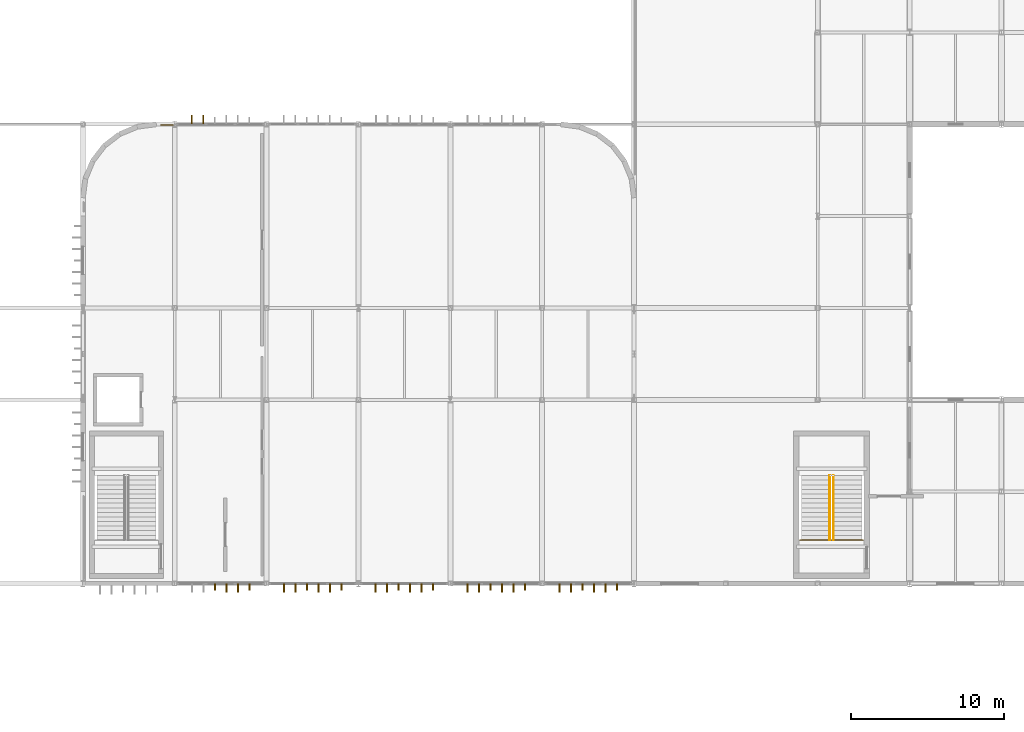
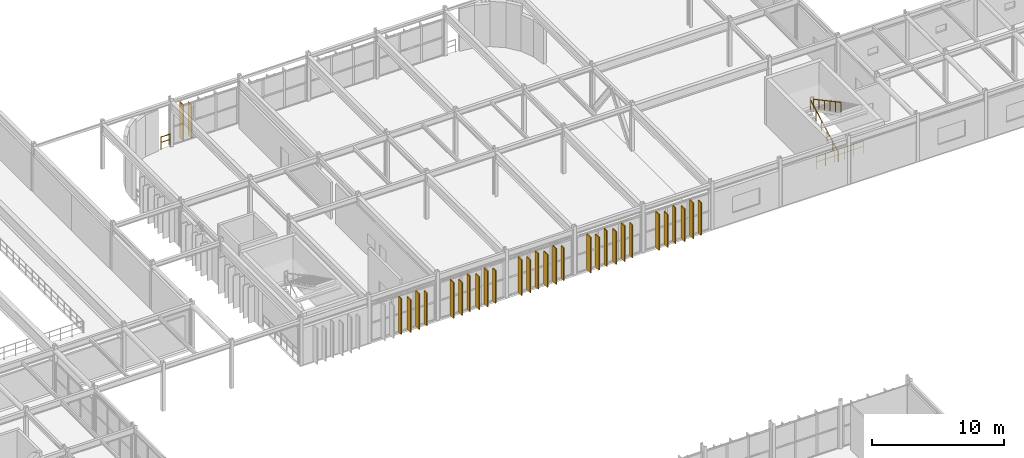
# One storey, part 90 of 96: 30 coverings, 4 railings.
"""IFC4 building model written with IfcOpenShell, lengths in metres."""

from ifc_helpers import new_model, si_unit, direction, frame, origin, origin_2d, place, context, subcontext, project, spatial, rectangle, circle, extrude, material, layer, layer_set, type_object, element, save


model = new_model("IFC4")

# Units and contexts
model_context = context("Model", 3, precision=1e-05, world=origin(), true_north=direction((0.0, 1.0)))
body_context = subcontext(model_context, "Body", "Model", "MODEL_VIEW")
ifc_project = project(units=[si_unit("LENGTHUNIT", "METRE"), si_unit("AREAUNIT", "SQUARE_METRE"), si_unit("VOLUMEUNIT", "CUBIC_METRE"), si_unit("PLANEANGLEUNIT", "RADIAN"), si_unit("MASSUNIT", "GRAM", prefix="KILO")], contexts=[model_context])

# Site, building, storey
site_placement = place(None, origin())
site = spatial("IfcSite", under=ifc_project, at=site_placement, CompositionType="ELEMENT")
building_placement = place(site_placement, origin())
building = spatial("IfcBuilding", under=site, at=building_placement, Name="Varnakota Square Police Headquarters", CompositionType="ELEMENT")
storey_placement = place(building_placement, frame((0.0, 0.0, 4.800048828125)))
storey = spatial("IfcBuildingStorey", under=building, at=storey_placement, Name="L01", CompositionType="ELEMENT", Elevation=4.800048828125)

# Coverings
ifc_material_1 = material(Name="White Anodised Aluminium Vertical Facade Blade 420", Category="aluminium")
ifc_layer_1 = layer(ifc_material_1, 0.0849609375, Name="White Anodised Aluminium Vertical Facade Blade 420")
ifc_layer_set_1 = layer_set([ifc_layer_1], Name="White Anodised Aluminium Vertical Facade Blade 420")
covering_type_1 = type_object("IfcCoveringType", Name="COV-FIN-420", PredefinedType="CLADDING", material=ifc_layer_set_1)
covering_1_placement = place(storey_placement, frame((68.625, 68.762451171875, 0.0400390625), z_axis=(0.0, 0.0, 1.0), x_axis=(1.0, 0.0, 0.0)))
element("IfcCovering", 1, at=covering_1_placement, inside=storey, type_object=covering_type_1, Name="Vertical aluminium facade fin FIN-1130", PredefinedType="CLADDING", context=body_context, shape_type="SweptSolid", body=[
    extrude(rectangle(XDim=0.0849609375, YDim=0.419921875, at=origin_2d()), origin(), (0.0, 0.0, 1.0), 3.31005859375),
])
covering_2_placement = place(storey_placement, frame((70.875, 68.762451171875, 0.0400390625), z_axis=(0.0, 0.0, 1.0), x_axis=(1.0, 0.0, 0.0)))
element("IfcCovering", 2, at=covering_2_placement, inside=storey, type_object=covering_type_1, Name="Vertical aluminium facade fin FIN-1133", PredefinedType="CLADDING", context=body_context, shape_type="SweptSolid", body=[
    extrude(rectangle(XDim=0.0849609375, YDim=0.419921875, at=origin_2d()), origin(), (0.0, 0.0, 1.0), 3.030029296875),
])
covering_3_placement = place(storey_placement, frame((74.637451171875, 68.762451171875, 0.0400390625), z_axis=(0.0, 0.0, 1.0), x_axis=(1.0, 0.0, 0.0)))
element("IfcCovering", 3, at=covering_3_placement, inside=storey, type_object=covering_type_1, Name="Vertical aluminium facade fin FIN-1136", PredefinedType="CLADDING", context=body_context, shape_type="SweptSolid", body=[
    extrude(rectangle(XDim=0.0849609375, YDim=0.419921875, at=origin_2d()), origin(), (0.0, 0.0, 1.0), 3.31005859375),
])
covering_4_placement = place(storey_placement, frame((76.887451171875, 68.762451171875, 0.0400390625), z_axis=(0.0, 0.0, 1.0), x_axis=(1.0, 0.0, 0.0)))
element("IfcCovering", 4, at=covering_4_placement, inside=storey, type_object=covering_type_1, Name="Vertical aluminium facade fin FIN-1139", PredefinedType="CLADDING", context=body_context, shape_type="SweptSolid", body=[
    extrude(rectangle(XDim=0.0849609375, YDim=0.419921875, at=origin_2d()), origin(), (0.0, 0.0, 1.0), 3.030029296875),
])
covering_5_placement = place(storey_placement, frame((80.612548828125, 68.762451171875, 0.0400390625), z_axis=(0.0, 0.0, 1.0), x_axis=(1.0, 0.0, 0.0)))
element("IfcCovering", 5, at=covering_5_placement, inside=storey, type_object=covering_type_1, Name="Vertical aluminium facade fin FIN-1142", PredefinedType="CLADDING", context=body_context, shape_type="SweptSolid", body=[
    extrude(rectangle(XDim=0.0849609375, YDim=0.419921875, at=origin_2d()), origin(), (0.0, 0.0, 1.0), 3.31005859375),
])
covering_6_placement = place(storey_placement, frame((82.862548828125, 68.762451171875, 0.0400390625), z_axis=(0.0, 0.0, 1.0), x_axis=(1.0, 0.0, 0.0)))
element("IfcCovering", 6, at=covering_6_placement, inside=storey, type_object=covering_type_1, Name="Vertical aluminium facade fin FIN-1145", PredefinedType="CLADDING", context=body_context, shape_type="SweptSolid", body=[
    extrude(rectangle(XDim=0.0849609375, YDim=0.419921875, at=origin_2d()), origin(), (0.0, 0.0, 1.0), 3.030029296875),
])
covering_7_placement = place(storey_placement, frame((86.625, 68.762451171875, 0.0400390625), z_axis=(0.0, 0.0, 1.0), x_axis=(1.0, 0.0, 0.0)))
element("IfcCovering", 7, at=covering_7_placement, inside=storey, type_object=covering_type_1, Name="Vertical aluminium facade fin FIN-1148", PredefinedType="CLADDING", context=body_context, shape_type="SweptSolid", body=[
    extrude(rectangle(XDim=0.0849609375, YDim=0.419921875, at=origin_2d()), origin(), (0.0, 0.0, 1.0), 3.31005859375),
])
covering_8_placement = place(storey_placement, frame((88.875, 68.762451171875, 0.0400390625), z_axis=(0.0, 0.0, 1.0), x_axis=(1.0, 0.0, 0.0)))
element("IfcCovering", 8, at=covering_8_placement, inside=storey, type_object=covering_type_1, Name="Vertical aluminium facade fin FIN-1151", PredefinedType="CLADDING", context=body_context, shape_type="SweptSolid", body=[
    extrude(rectangle(XDim=0.0849609375, YDim=0.419921875, at=origin_2d()), origin(), (0.0, 0.0, 1.0), 3.030029296875),
])
covering_9_placement = place(storey_placement, frame((92.637451171875, 68.762451171875, 0.0400390625), z_axis=(0.0, 0.0, 1.0), x_axis=(1.0, 0.0, 0.0)))
element("IfcCovering", 9, at=covering_9_placement, inside=storey, type_object=covering_type_1, Name="Vertical aluminium facade fin FIN-1154", PredefinedType="CLADDING", context=body_context, shape_type="SweptSolid", body=[
    extrude(rectangle(XDim=0.0849609375, YDim=0.419921875, at=origin_2d()), origin(), (0.0, 0.0, 1.0), 3.31005859375),
])
covering_10_placement = place(storey_placement, frame((94.887451171875, 68.762451171875, 0.0400390625), z_axis=(0.0, 0.0, 1.0), x_axis=(1.0, 0.0, 0.0)))
element("IfcCovering", 10, at=covering_10_placement, inside=storey, type_object=covering_type_1, Name="Vertical aluminium facade fin FIN-1157", PredefinedType="CLADDING", context=body_context, shape_type="SweptSolid", body=[
    extrude(rectangle(XDim=0.0849609375, YDim=0.419921875, at=origin_2d()), origin(), (0.0, 0.0, 1.0), 3.030029296875),
])
ifc_material_2 = material(Name="White Anodised Aluminium Vertical Facade Blade 550", Category="aluminium")
ifc_layer_2 = layer(ifc_material_2, 0.0849609375, Name="White Anodised Aluminium Vertical Facade Blade 550")
ifc_layer_set_2 = layer_set([ifc_layer_2], Name="White Anodised Aluminium Vertical Facade Blade 550")
covering_type_2 = type_object("IfcCoveringType", Name="COV-FIN-550", PredefinedType="CLADDING", material=ifc_layer_set_2)
covering_11_placement = place(storey_placement, frame((69.375, 68.697509765625, 0.0400390625), z_axis=(0.0, 0.0, 1.0), x_axis=(1.0, 0.0, 0.0)))
element("IfcCovering", 11, at=covering_11_placement, inside=storey, type_object=covering_type_2, Name="Vertical aluminium facade fin FIN-1131", PredefinedType="CLADDING", context=body_context, shape_type="SweptSolid", body=[
    extrude(rectangle(XDim=0.0849609375, YDim=0.550048828125, at=origin_2d()), origin(), (0.0, 0.0, 1.0), 3.030029296875),
])
for number, where, z_axis, x_axis, name in (
    (12, (70.125, 68.697509765625, 0.0400390625), (0.0, 0.0, 1.0), (1.0, 0.0, 0.0), "Vertical aluminium facade fin FIN-1132"),
    (13, (73.137451171875, 68.697509765625, 0.0400390625), (0.0, 0.0, 1.0), (1.0, 0.0, 0.0), "Vertical aluminium facade fin FIN-1134"),
):
    element("IfcCovering", number, at=place(storey_placement, frame(where, z_axis=z_axis, x_axis=x_axis)), inside=storey, type_object=covering_type_2, Name=name, PredefinedType="CLADDING", context=body_context, shape_type="SweptSolid", body=[
        extrude(rectangle(XDim=0.0849609375, YDim=0.550048828125, at=origin_2d()), origin(), (0.0, 0.0, 1.0), 3.31005859375),
    ])
for number, where, z_axis, x_axis, name in (
    (14, (73.887451171875, 68.697509765625, 0.0400390625), (0.0, 0.0, 1.0), (1.0, 0.0, 0.0), "Vertical aluminium facade fin FIN-1135"),
    (15, (75.387451171875, 68.697509765625, 0.0400390625), (0.0, 0.0, 1.0), (1.0, 0.0, 0.0), "Vertical aluminium facade fin FIN-1137"),
):
    element("IfcCovering", number, at=place(storey_placement, frame(where, z_axis=z_axis, x_axis=x_axis)), inside=storey, type_object=covering_type_2, Name=name, PredefinedType="CLADDING", context=body_context, shape_type="SweptSolid", body=[
        extrude(rectangle(XDim=0.0849609375, YDim=0.550048828125, at=origin_2d()), origin(), (0.0, 0.0, 1.0), 3.030029296875),
    ])
for number, where, z_axis, x_axis, name in (
    (16, (76.137451171875, 68.697509765625, 0.0400390625), (0.0, 0.0, 1.0), (1.0, 0.0, 0.0), "Vertical aluminium facade fin FIN-1138"),
    (17, (79.112548828125, 68.697509765625, 0.0400390625), (0.0, 0.0, 1.0), (1.0, 0.0, 0.0), "Vertical aluminium facade fin FIN-1140"),
):
    element("IfcCovering", number, at=place(storey_placement, frame(where, z_axis=z_axis, x_axis=x_axis)), inside=storey, type_object=covering_type_2, Name=name, PredefinedType="CLADDING", context=body_context, shape_type="SweptSolid", body=[
        extrude(rectangle(XDim=0.0849609375, YDim=0.550048828125, at=origin_2d()), origin(), (0.0, 0.0, 1.0), 3.31005859375),
    ])
for number, where, z_axis, x_axis, name in (
    (18, (79.862548828125, 68.697509765625, 0.0400390625), (0.0, 0.0, 1.0), (1.0, 0.0, 0.0), "Vertical aluminium facade fin FIN-1141"),
    (19, (81.362548828125, 68.697509765625, 0.0400390625), (0.0, 0.0, 1.0), (1.0, 0.0, 0.0), "Vertical aluminium facade fin FIN-1143"),
):
    element("IfcCovering", number, at=place(storey_placement, frame(where, z_axis=z_axis, x_axis=x_axis)), inside=storey, type_object=covering_type_2, Name=name, PredefinedType="CLADDING", context=body_context, shape_type="SweptSolid", body=[
        extrude(rectangle(XDim=0.0849609375, YDim=0.550048828125, at=origin_2d()), origin(), (0.0, 0.0, 1.0), 3.030029296875),
    ])
for number, where, z_axis, x_axis, name in (
    (20, (82.112548828125, 68.697509765625, 0.0400390625), (0.0, 0.0, 1.0), (1.0, 0.0, 0.0), "Vertical aluminium facade fin FIN-1144"),
    (21, (85.125, 68.697509765625, 0.0400390625), (0.0, 0.0, 1.0), (1.0, 0.0, 0.0), "Vertical aluminium facade fin FIN-1146"),
):
    element("IfcCovering", number, at=place(storey_placement, frame(where, z_axis=z_axis, x_axis=x_axis)), inside=storey, type_object=covering_type_2, Name=name, PredefinedType="CLADDING", context=body_context, shape_type="SweptSolid", body=[
        extrude(rectangle(XDim=0.0849609375, YDim=0.550048828125, at=origin_2d()), origin(), (0.0, 0.0, 1.0), 3.31005859375),
    ])
for number, where, z_axis, x_axis, name in (
    (22, (85.875, 68.697509765625, 0.0400390625), (0.0, 0.0, 1.0), (1.0, 0.0, 0.0), "Vertical aluminium facade fin FIN-1147"),
    (23, (87.375, 68.697509765625, 0.0400390625), (0.0, 0.0, 1.0), (1.0, 0.0, 0.0), "Vertical aluminium facade fin FIN-1149"),
):
    element("IfcCovering", number, at=place(storey_placement, frame(where, z_axis=z_axis, x_axis=x_axis)), inside=storey, type_object=covering_type_2, Name=name, PredefinedType="CLADDING", context=body_context, shape_type="SweptSolid", body=[
        extrude(rectangle(XDim=0.0849609375, YDim=0.550048828125, at=origin_2d()), origin(), (0.0, 0.0, 1.0), 3.030029296875),
    ])
for number, where, z_axis, x_axis, name in (
    (24, (88.125, 68.697509765625, 0.0400390625), (0.0, 0.0, 1.0), (1.0, 0.0, 0.0), "Vertical aluminium facade fin FIN-1150"),
    (25, (91.137451171875, 68.697509765625, 0.0400390625), (0.0, 0.0, 1.0), (1.0, 0.0, 0.0), "Vertical aluminium facade fin FIN-1152"),
):
    element("IfcCovering", number, at=place(storey_placement, frame(where, z_axis=z_axis, x_axis=x_axis)), inside=storey, type_object=covering_type_2, Name=name, PredefinedType="CLADDING", context=body_context, shape_type="SweptSolid", body=[
        extrude(rectangle(XDim=0.0849609375, YDim=0.550048828125, at=origin_2d()), origin(), (0.0, 0.0, 1.0), 3.31005859375),
    ])
for number, where, z_axis, x_axis, name in (
    (26, (91.887451171875, 68.697509765625, 0.0400390625), (0.0, 0.0, 1.0), (1.0, 0.0, 0.0), "Vertical aluminium facade fin FIN-1153"),
    (27, (93.387451171875, 68.697509765625, 0.0400390625), (0.0, 0.0, 1.0), (1.0, 0.0, 0.0), "Vertical aluminium facade fin FIN-1155"),
):
    element("IfcCovering", number, at=place(storey_placement, frame(where, z_axis=z_axis, x_axis=x_axis)), inside=storey, type_object=covering_type_2, Name=name, PredefinedType="CLADDING", context=body_context, shape_type="SweptSolid", body=[
        extrude(rectangle(XDim=0.0849609375, YDim=0.550048828125, at=origin_2d()), origin(), (0.0, 0.0, 1.0), 3.030029296875),
    ])
for number, where, z_axis, x_axis, name in (
    (28, (94.137451171875, 68.697509765625, 0.0400390625), (0.0, 0.0, 1.0), (1.0, 0.0, 0.0), "Vertical aluminium facade fin FIN-1156"),
    (29, (67.112548828125, 99.302490234375, 0.0400390625), (0.0, 0.0, 1.0), (1.0, 0.0, 0.0), "Vertical aluminium facade fin FIN-1158"),
):
    element("IfcCovering", number, at=place(storey_placement, frame(where, z_axis=z_axis, x_axis=x_axis)), inside=storey, type_object=covering_type_2, Name=name, PredefinedType="CLADDING", context=body_context, shape_type="SweptSolid", body=[
        extrude(rectangle(XDim=0.0849609375, YDim=0.550048828125, at=origin_2d()), origin(), (0.0, 0.0, 1.0), 3.31005859375),
    ])
covering_12_placement = place(storey_placement, frame((67.862548828125, 99.302490234375, 0.0400390625), z_axis=(0.0, 0.0, 1.0), x_axis=(1.0, 0.0, 0.0)))
element("IfcCovering", 30, at=covering_12_placement, inside=storey, type_object=covering_type_2, Name="Vertical aluminium facade fin FIN-1159", PredefinedType="CLADDING", context=body_context, shape_type="SweptSolid", body=[
    extrude(rectangle(XDim=0.0849609375, YDim=0.550048828125, at=origin_2d()), origin(), (0.0, 0.0, 1.0), 3.030029296875),
])

# Railings
ifc_material_3 = material(Name="Galvanised Powder-Coated Steel Guardrail", Category="steel")
railing_type_1 = type_object("IfcRailingType", Name="RL-BAL-1150", PredefinedType="BALUSTRADE", material=ifc_material_3)
railing_1_placement = place(storey_placement, frame((65.095703125, 98.949951171875, 0.0)))
element("IfcRailing", 31, at=railing_1_placement, inside=storey, type_object=railing_type_1, Name="Perimeter edge safety guard GD-AUTO-L01-025", PredefinedType="BALUSTRADE", context=body_context, shape_type="SweptSolid", body=[
    extrude(circle(Radius=0.02392578125, at=origin_2d()), frame((0.0, 0.0, 1.1259765625), z_axis=(1.0, 0.0, 0.0), x_axis=(0.0, 1.0, 0.0)), (0.0, 0.0, 1.0), 0.7998046875),
    extrude(circle(Radius=0.01806640625, at=origin_2d()), frame((0.0, 0.0, 0.63232421875), z_axis=(1.0, 0.0, 0.0), x_axis=(0.0, 1.0, 0.0)), (0.0, 0.0, 1.0), 0.7998046875),
    extrude(circle(Radius=0.02099609375, at=origin_2d()), origin(), (0.0, 0.0, 1.0), 1.101806640625),
    extrude(circle(Radius=0.02099609375, at=origin_2d()), frame((0.7998046875, 0.0, 0.0)), (0.0, 0.0, 1.0), 1.101806640625),
])
ifc_material_4 = material(Name="Brushed Stainless Steel Tubular Handrail", Category="steel")
railing_type_2 = type_object("IfcRailingType", Name="RL-HND-920", PredefinedType="HANDRAIL", material=ifc_material_4)
railing_2_placement = place(storey_placement, frame((108.780029296875, 71.85009765625, 0.0)))
element("IfcRailing", 32, at=railing_2_placement, inside=storey, type_object=railing_type_2, Name="Stair flight handrail HR-L01-093", PredefinedType="HANDRAIL", context=body_context, shape_type="SweptSolid", body=[
    extrude(circle(Radius=0.02392578125, at=origin_2d()), frame((0.0, 0.0, 0.89599609375), z_axis=(0.0, 0.881511956786, 0.472161699043), x_axis=(-1.0, 0.0, 0.0)), (0.0, 0.0, 1.0), 4.765380859375),
    extrude(circle(Radius=0.02099609375, at=origin_2d()), origin(), (0.0, 0.0, 1.0), 0.871826171875),
    extrude(circle(Radius=0.02099609375, at=origin_2d()), frame((0.0, 0.840087890625, 0.449951171875)), (0.0, 0.0, 1.0), 0.871826171875),
    extrude(circle(Radius=0.02099609375, at=origin_2d()), frame((0.0, 1.68017578125, 0.89990234375)), (0.0, 0.0, 1.0), 0.871826171875),
    extrude(circle(Radius=0.02099609375, at=origin_2d()), frame((0.0, 2.5205078125, 1.35009765625)), (0.0, 0.0, 1.0), 0.871826171875),
    extrude(circle(Radius=0.02099609375, at=origin_2d()), frame((0.0, 3.360595703125, 1.800048828125)), (0.0, 0.0, 1.0), 0.871826171875),
    extrude(circle(Radius=0.02099609375, at=origin_2d()), frame((0.0, 4.20068359375, 2.25)), (0.0, 0.0, 1.0), 0.871826171875),
])
railing_3_placement = place(storey_placement, frame((109.02001953125, 76.05078125, 2.25)))
element("IfcRailing", 33, at=railing_3_placement, inside=storey, type_object=railing_type_2, Name="Stair flight handrail HR-L01-094", PredefinedType="HANDRAIL", context=body_context, shape_type="SweptSolid", body=[
    extrude(circle(Radius=0.02392578125, at=origin_2d()), frame((0.0, 0.0, 0.89599609375), z_axis=(0.0, -0.881511956786, 0.472161699043), x_axis=(1.0, 0.0, 0.0)), (0.0, 0.0, 1.0), 4.765380859375),
    extrude(circle(Radius=0.02099609375, at=origin_2d()), origin(), (0.0, 0.0, 1.0), 0.871826171875),
    extrude(circle(Radius=0.02099609375, at=origin_2d()), frame((0.0, -0.840087890625, 0.449951171875)), (0.0, 0.0, 1.0), 0.871826171875),
    extrude(circle(Radius=0.02099609375, at=origin_2d()), frame((0.0, -1.68017578125, 0.89990234375)), (0.0, 0.0, 1.0), 0.871826171875),
    extrude(circle(Radius=0.02099609375, at=origin_2d()), frame((0.0, -2.5205078125, 1.35009765625)), (0.0, 0.0, 1.0), 0.871826171875),
    extrude(circle(Radius=0.02099609375, at=origin_2d()), frame((0.0, -3.360595703125, 1.800048828125)), (0.0, 0.0, 1.0), 0.871826171875),
    extrude(circle(Radius=0.02099609375, at=origin_2d()), frame((0.0, -4.20068359375, 2.25)), (0.0, 0.0, 1.0), 0.871826171875),
])
ifc_material_5 = material(Name="Laminated Glass and Stainless Steel Balustrade", Category="steel")
railing_type_3 = type_object("IfcRailingType", Name="RL-INT-1150", PredefinedType="BALUSTRADE", material=ifc_material_5)
railing_4_placement = place(storey_placement, frame((106.840087890625, 71.85009765625, 0.0)))
element("IfcRailing", 34, at=railing_4_placement, inside=storey, type_object=railing_type_3, Name="Stair well safety guard C9 L01", PredefinedType="BALUSTRADE", context=body_context, shape_type="SweptSolid", body=[
    extrude(circle(Radius=0.02392578125, at=origin_2d()), frame((0.0, 0.0, 1.1259765625), z_axis=(1.0, 0.0, 0.0), x_axis=(0.0, 1.0, 0.0)), (0.0, 0.0, 1.0), 4.119873046875),
    extrude(circle(Radius=0.01806640625, at=origin_2d()), frame((0.0, 0.0, 0.63232421875), z_axis=(1.0, 0.0, 0.0), x_axis=(0.0, 1.0, 0.0)), (0.0, 0.0, 1.0), 4.119873046875),
    extrude(circle(Radius=0.02099609375, at=origin_2d()), origin(), (0.0, 0.0, 1.0), 1.101806640625),
    extrude(circle(Radius=0.02099609375, at=origin_2d()), frame((0.823974609375, 0.0, 0.0)), (0.0, 0.0, 1.0), 1.101806640625),
    extrude(circle(Radius=0.02099609375, at=origin_2d()), frame((1.64794921875, 0.0, 0.0)), (0.0, 0.0, 1.0), 1.101806640625),
    extrude(circle(Radius=0.02099609375, at=origin_2d()), frame((2.471923828125, 0.0, 0.0)), (0.0, 0.0, 1.0), 1.101806640625),
    extrude(circle(Radius=0.02099609375, at=origin_2d()), frame((3.2958984375, 0.0, 0.0)), (0.0, 0.0, 1.0), 1.101806640625),
    extrude(circle(Radius=0.02099609375, at=origin_2d()), frame((4.119873046875, 0.0, 0.0)), (0.0, 0.0, 1.0), 1.101806640625),
])

save(model, "model.ifc")
